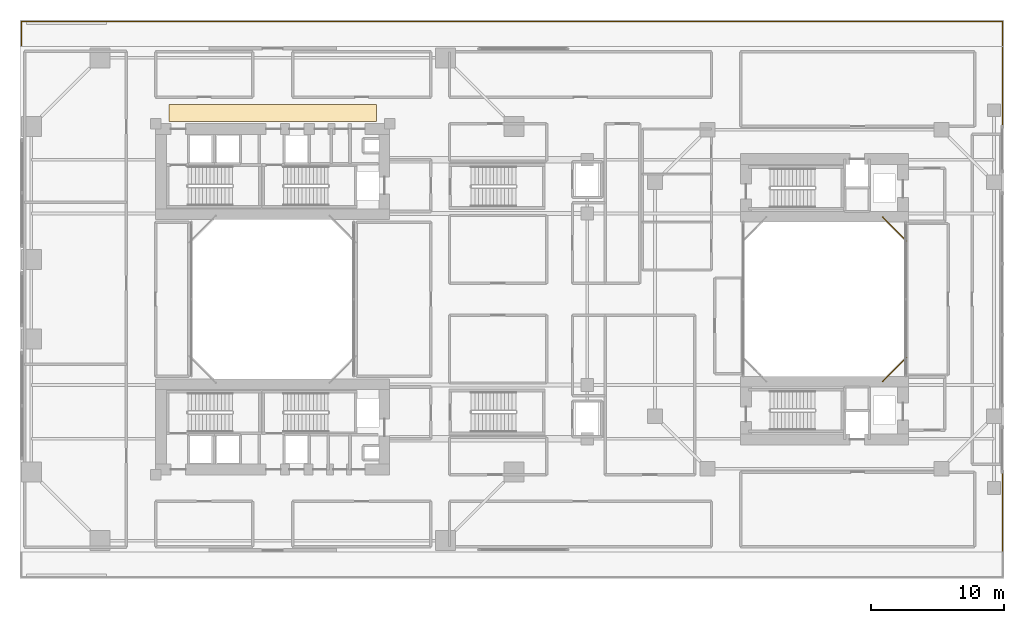
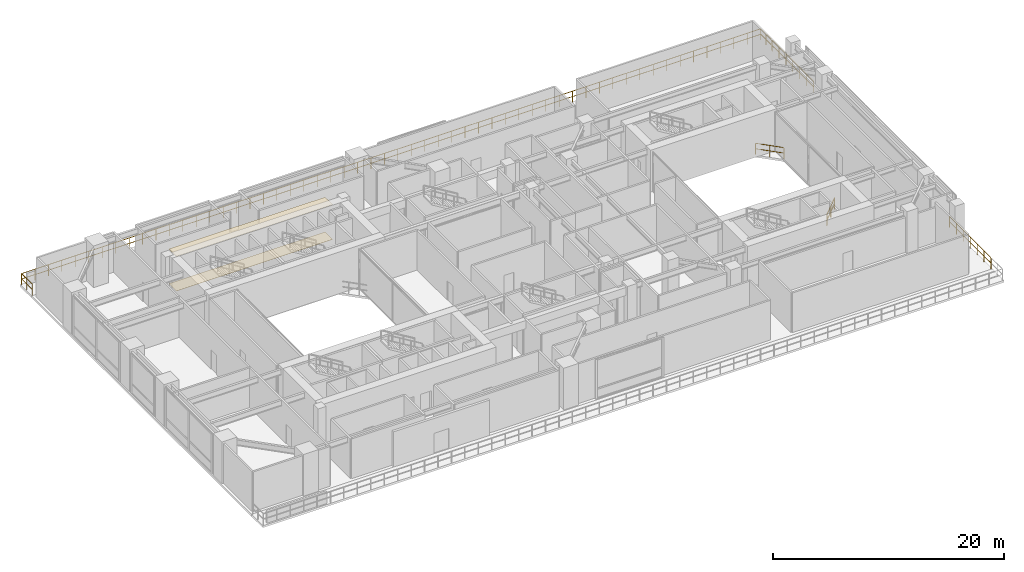
# One storey, part 19 of 19: 5 railings, 2 coverings.
"""IFC4 building model written with IfcOpenShell, lengths in metres."""

from ifc_helpers import new_model, si_unit, direction, frame, origin, origin_2d, place, context, subcontext, project, spatial, polyline, rectangle, outline, extrude, material, layer, layer_set, type_object, element, save


model = new_model("IFC4")

# Units and contexts
model_context = context("Model", 3, precision=1e-05, world=origin(), true_north=direction((0.0, 1.0)))
body_context = subcontext(model_context, "Body", "Model", "MODEL_VIEW")
ifc_project = project(units=[si_unit("LENGTHUNIT", "METRE"), si_unit("AREAUNIT", "SQUARE_METRE"), si_unit("VOLUMEUNIT", "CUBIC_METRE"), si_unit("PLANEANGLEUNIT", "RADIAN"), si_unit("MASSUNIT", "GRAM", prefix="KILO"), si_unit("THERMODYNAMICTEMPERATUREUNIT", "KELVIN"), si_unit("POWERUNIT", "WATT")], contexts=[model_context])

# Site, building, storey
site_placement = place(None, origin())
site = spatial("IfcSite", under=ifc_project, at=site_placement, CompositionType="ELEMENT")
building_placement = place(site_placement, origin())
building = spatial("IfcBuilding", under=site, at=building_placement, Name="Qiaomeng Ring Towers", CompositionType="ELEMENT")
storey_placement = place(building_placement, frame((0.0, 0.0, 9.39990234375)))
storey = spatial("IfcBuildingStorey", under=building, at=storey_placement, Name="L02", CompositionType="ELEMENT", Elevation=9.39990234375)

# Coverings
ifc_material_1 = material(Name="Mineral fibre acoustic ceiling tile", Category="gypsum")
ifc_layer_1 = layer(ifc_material_1, 0.02490234375, Name="Mineral fibre acoustic ceiling tile")
ifc_layer_set_1 = layer_set([ifc_layer_1], Name="Mineral fibre acoustic ceiling tile")
covering_type_1 = type_object("IfcCoveringType", Name="ARC-COV-CEIL1", PredefinedType="CEILING", material=ifc_layer_set_1)
covering_1_placement = place(storey_placement, frame((0.0, 0.0, 3.66015625)))
element("IfcCovering", 1, at=covering_1_placement, inside=storey, type_object=covering_type_1, Name="L02 Corridor Acoustic Ceiling", PredefinedType="CEILING", context=body_context, shape_type="SweptSolid", body=[
    extrude(outline(polyline([(11.199951171875, 36.35009765625), (11.199951171875, 37.64990234375), (26.800048828125, 37.64990234375), (26.800048828125, 36.35009765625), (11.199951171875, 36.35009765625)])), origin(), (0.0, 0.0, 1.0), 0.02490234375),
])
ifc_material_2 = material(Name="Honed granite stone flooring", Category="masonry")
ifc_layer_2 = layer(ifc_material_2, 0.02392578125, Name="Honed granite stone flooring")
ifc_layer_set_2 = layer_set([ifc_layer_2], Name="Honed granite stone flooring")
covering_type_2 = type_object("IfcCoveringType", Name="ARC-COV-FLR2", PredefinedType="FLOORING", material=ifc_layer_set_2)
covering_2_placement = place(storey_placement, origin())
element("IfcCovering", 2, at=covering_2_placement, inside=storey, type_object=covering_type_2, Name="L02 Corridor Stone Flooring", PredefinedType="FLOORING", context=body_context, shape_type="SweptSolid", body=[
    extrude(outline(polyline([(11.199951171875, 36.35009765625), (11.199951171875, 37.64990234375), (26.800048828125, 37.64990234375), (26.800048828125, 36.35009765625), (11.199951171875, 36.35009765625)])), origin(), (0.0, 0.0, 1.0), 0.02001953125),
])

# Railings
ifc_material_3 = material(Name="Low-E pale-green laminated safety glass", Category="glass")
railing_type = type_object("IfcRailingType", Name="ARC-RL-BAL1", PredefinedType="BALUSTRADE", material=ifc_material_3)
railing_1_placement = place(storey_placement, frame((0.10009765625, 42.080078125, 0.0)))
element("IfcRailing", 3, at=railing_1_placement, inside=storey, type_object=railing_type, Name="L02 Balustrade ARC-BAL-L02-POD-N", PredefinedType="BALUSTRADE", context=body_context, shape_type="SweptSolid", body=[
    extrude(rectangle(XDim=0.048095703125, YDim=0.048095703125, at=origin_2d()), frame((0.0, 0.0, 1.17578125), z_axis=(0.0, 1.0, 0.0), x_axis=(-1.0, 0.0, 0.0)), (0.0, 0.0, 1.0), 1.81982421875),
    extrude(rectangle(XDim=0.048095703125, YDim=0.048095703125, at=origin_2d()), frame((0.0, 0.0, 0.60009765625), z_axis=(0.0, 1.0, 0.0), x_axis=(-1.0, 0.0, 0.0)), (0.0, 0.0, 1.0), 1.81982421875),
    extrude(rectangle(XDim=0.048095703125, YDim=0.048095703125, at=origin_2d()), frame((0.0, 1.81982421875, 1.17578125), z_axis=(1.0, 0.0, 0.0), x_axis=(0.0, 1.0, 0.0)), (0.0, 0.0, 1.0), 73.7998046875),
    extrude(rectangle(XDim=0.048095703125, YDim=0.048095703125, at=origin_2d()), frame((0.0, 1.81982421875, 0.60009765625), z_axis=(1.0, 0.0, 0.0), x_axis=(0.0, 1.0, 0.0)), (0.0, 0.0, 1.0), 73.7998046875),
    extrude(rectangle(XDim=0.048095703125, YDim=0.048095703125, at=origin_2d()), frame((73.7998046875, 1.81982421875, 1.17578125), z_axis=(0.0, -1.0, 0.0), x_axis=(1.0, 0.0, 0.0)), (0.0, 0.0, 1.0), 1.81982421875),
    extrude(rectangle(XDim=0.048095703125, YDim=0.048095703125, at=origin_2d()), frame((73.7998046875, 1.81982421875, 0.60009765625), z_axis=(0.0, -1.0, 0.0), x_axis=(1.0, 0.0, 0.0)), (0.0, 0.0, 1.0), 1.81982421875),
    extrude(rectangle(XDim=0.0419921875, YDim=0.0419921875, at=origin_2d()), origin(), (0.0, 0.0, 1.0), 1.15185546875),
    extrude(rectangle(XDim=0.0419921875, YDim=0.0419921875, at=origin_2d()), frame((0.0, 0.909912109375, 0.0)), (0.0, 0.0, 1.0), 1.15185546875),
    extrude(rectangle(XDim=0.0419921875, YDim=0.0419921875, at=origin_2d()), frame((0.0, 1.81982421875, 0.0)), (0.0, 0.0, 1.0), 1.15185546875),
    extrude(rectangle(XDim=0.0419921875, YDim=0.0419921875, at=origin_2d()), frame((1.341796875, 1.81982421875, 0.0)), (0.0, 0.0, 1.0), 1.15185546875),
    extrude(rectangle(XDim=0.0419921875, YDim=0.0419921875, at=origin_2d()), frame((2.68359375, 1.81982421875, 0.0)), (0.0, 0.0, 1.0), 1.15185546875),
    extrude(rectangle(XDim=0.0419921875, YDim=0.0419921875, at=origin_2d()), frame((4.025390625, 1.81982421875, 0.0)), (0.0, 0.0, 1.0), 1.15185546875),
    extrude(rectangle(XDim=0.0419921875, YDim=0.0419921875, at=origin_2d()), frame((5.3671875, 1.81982421875, 0.0)), (0.0, 0.0, 1.0), 1.15185546875),
    extrude(rectangle(XDim=0.0419921875, YDim=0.0419921875, at=origin_2d()), frame((6.708984375, 1.81982421875, 0.0)), (0.0, 0.0, 1.0), 1.15185546875),
    extrude(rectangle(XDim=0.0419921875, YDim=0.0419921875, at=origin_2d()), frame((8.05078125, 1.81982421875, 0.0)), (0.0, 0.0, 1.0), 1.15185546875),
    extrude(rectangle(XDim=0.0419921875, YDim=0.0419921875, at=origin_2d()), frame((9.392822265625, 1.81982421875, 0.0)), (0.0, 0.0, 1.0), 1.15185546875),
    extrude(rectangle(XDim=0.0419921875, YDim=0.0419921875, at=origin_2d()), frame((10.734619140625, 1.81982421875, 0.0)), (0.0, 0.0, 1.0), 1.15185546875),
    extrude(rectangle(XDim=0.0419921875, YDim=0.0419921875, at=origin_2d()), frame((12.076416015625, 1.81982421875, 0.0)), (0.0, 0.0, 1.0), 1.15185546875),
    extrude(rectangle(XDim=0.0419921875, YDim=0.0419921875, at=origin_2d()), frame((13.418212890625, 1.81982421875, 0.0)), (0.0, 0.0, 1.0), 1.15185546875),
    extrude(rectangle(XDim=0.0419921875, YDim=0.0419921875, at=origin_2d()), frame((14.760009765625, 1.81982421875, 0.0)), (0.0, 0.0, 1.0), 1.15185546875),
    extrude(rectangle(XDim=0.0419921875, YDim=0.0419921875, at=origin_2d()), frame((16.101806640625, 1.81982421875, 0.0)), (0.0, 0.0, 1.0), 1.15185546875),
    extrude(rectangle(XDim=0.0419921875, YDim=0.0419921875, at=origin_2d()), frame((17.443603515625, 1.81982421875, 0.0)), (0.0, 0.0, 1.0), 1.15185546875),
    extrude(rectangle(XDim=0.0419921875, YDim=0.0419921875, at=origin_2d()), frame((18.785400390625, 1.81982421875, 0.0)), (0.0, 0.0, 1.0), 1.15185546875),
    extrude(rectangle(XDim=0.0419921875, YDim=0.0419921875, at=origin_2d()), frame((20.127197265625, 1.81982421875, 0.0)), (0.0, 0.0, 1.0), 1.15185546875),
    extrude(rectangle(XDim=0.0419921875, YDim=0.0419921875, at=origin_2d()), frame((21.468994140625, 1.81982421875, 0.0)), (0.0, 0.0, 1.0), 1.15185546875),
    extrude(rectangle(XDim=0.0419921875, YDim=0.0419921875, at=origin_2d()), frame((22.810791015625, 1.81982421875, 0.0)), (0.0, 0.0, 1.0), 1.15185546875),
    extrude(rectangle(XDim=0.0419921875, YDim=0.0419921875, at=origin_2d()), frame((24.152587890625, 1.81982421875, 0.0)), (0.0, 0.0, 1.0), 1.15185546875),
    extrude(rectangle(XDim=0.0419921875, YDim=0.0419921875, at=origin_2d()), frame((25.494384765625, 1.81982421875, 0.0)), (0.0, 0.0, 1.0), 1.15185546875),
    extrude(rectangle(XDim=0.0419921875, YDim=0.0419921875, at=origin_2d()), frame((26.836181640625, 1.81982421875, 0.0)), (0.0, 0.0, 1.0), 1.15185546875),
    extrude(rectangle(XDim=0.0419921875, YDim=0.0419921875, at=origin_2d()), frame((28.17822265625, 1.81982421875, 0.0)), (0.0, 0.0, 1.0), 1.15185546875),
    extrude(rectangle(XDim=0.0419921875, YDim=0.0419921875, at=origin_2d()), frame((29.52001953125, 1.81982421875, 0.0)), (0.0, 0.0, 1.0), 1.15185546875),
    extrude(rectangle(XDim=0.0419921875, YDim=0.0419921875, at=origin_2d()), frame((30.86181640625, 1.81982421875, 0.0)), (0.0, 0.0, 1.0), 1.15185546875),
    extrude(rectangle(XDim=0.0419921875, YDim=0.0419921875, at=origin_2d()), frame((32.20361328125, 1.81982421875, 0.0)), (0.0, 0.0, 1.0), 1.15185546875),
    extrude(rectangle(XDim=0.0419921875, YDim=0.0419921875, at=origin_2d()), frame((33.54541015625, 1.81982421875, 0.0)), (0.0, 0.0, 1.0), 1.15185546875),
    extrude(rectangle(XDim=0.0419921875, YDim=0.0419921875, at=origin_2d()), frame((34.88720703125, 1.81982421875, 0.0)), (0.0, 0.0, 1.0), 1.15185546875),
    extrude(rectangle(XDim=0.0419921875, YDim=0.0419921875, at=origin_2d()), frame((36.22900390625, 1.81982421875, 0.0)), (0.0, 0.0, 1.0), 1.15185546875),
    extrude(rectangle(XDim=0.0419921875, YDim=0.0419921875, at=origin_2d()), frame((37.57080078125, 1.81982421875, 0.0)), (0.0, 0.0, 1.0), 1.15185546875),
    extrude(rectangle(XDim=0.0419921875, YDim=0.0419921875, at=origin_2d()), frame((38.91259765625, 1.81982421875, 0.0)), (0.0, 0.0, 1.0), 1.15185546875),
    extrude(rectangle(XDim=0.0419921875, YDim=0.0419921875, at=origin_2d()), frame((40.25439453125, 1.81982421875, 0.0)), (0.0, 0.0, 1.0), 1.15185546875),
    extrude(rectangle(XDim=0.0419921875, YDim=0.0419921875, at=origin_2d()), frame((41.59619140625, 1.81982421875, 0.0)), (0.0, 0.0, 1.0), 1.15185546875),
    extrude(rectangle(XDim=0.0419921875, YDim=0.0419921875, at=origin_2d()), frame((42.93798828125, 1.81982421875, 0.0)), (0.0, 0.0, 1.0), 1.15185546875),
    extrude(rectangle(XDim=0.0419921875, YDim=0.0419921875, at=origin_2d()), frame((44.27978515625, 1.81982421875, 0.0)), (0.0, 0.0, 1.0), 1.15185546875),
    extrude(rectangle(XDim=0.0419921875, YDim=0.0419921875, at=origin_2d()), frame((45.62158203125, 1.81982421875, 0.0)), (0.0, 0.0, 1.0), 1.15185546875),
    extrude(rectangle(XDim=0.0419921875, YDim=0.0419921875, at=origin_2d()), frame((46.963623046875, 1.81982421875, 0.0)), (0.0, 0.0, 1.0), 1.15185546875),
    extrude(rectangle(XDim=0.0419921875, YDim=0.0419921875, at=origin_2d()), frame((48.305419921875, 1.81982421875, 0.0)), (0.0, 0.0, 1.0), 1.15185546875),
    extrude(rectangle(XDim=0.0419921875, YDim=0.0419921875, at=origin_2d()), frame((49.647216796875, 1.81982421875, 0.0)), (0.0, 0.0, 1.0), 1.15185546875),
    extrude(rectangle(XDim=0.0419921875, YDim=0.0419921875, at=origin_2d()), frame((50.989013671875, 1.81982421875, 0.0)), (0.0, 0.0, 1.0), 1.15185546875),
    extrude(rectangle(XDim=0.0419921875, YDim=0.0419921875, at=origin_2d()), frame((52.330810546875, 1.81982421875, 0.0)), (0.0, 0.0, 1.0), 1.15185546875),
    extrude(rectangle(XDim=0.0419921875, YDim=0.0419921875, at=origin_2d()), frame((53.672607421875, 1.81982421875, 0.0)), (0.0, 0.0, 1.0), 1.15185546875),
    extrude(rectangle(XDim=0.0419921875, YDim=0.0419921875, at=origin_2d()), frame((55.014404296875, 1.81982421875, 0.0)), (0.0, 0.0, 1.0), 1.15185546875),
    extrude(rectangle(XDim=0.0419921875, YDim=0.0419921875, at=origin_2d()), frame((56.356201171875, 1.81982421875, 0.0)), (0.0, 0.0, 1.0), 1.15185546875),
    extrude(rectangle(XDim=0.0419921875, YDim=0.0419921875, at=origin_2d()), frame((57.697998046875, 1.81982421875, 0.0)), (0.0, 0.0, 1.0), 1.15185546875),
    extrude(rectangle(XDim=0.0419921875, YDim=0.0419921875, at=origin_2d()), frame((59.039794921875, 1.81982421875, 0.0)), (0.0, 0.0, 1.0), 1.15185546875),
    extrude(rectangle(XDim=0.0419921875, YDim=0.0419921875, at=origin_2d()), frame((60.381591796875, 1.81982421875, 0.0)), (0.0, 0.0, 1.0), 1.15185546875),
    extrude(rectangle(XDim=0.0419921875, YDim=0.0419921875, at=origin_2d()), frame((61.723388671875, 1.81982421875, 0.0)), (0.0, 0.0, 1.0), 1.15185546875),
    extrude(rectangle(XDim=0.0419921875, YDim=0.0419921875, at=origin_2d()), frame((63.065185546875, 1.81982421875, 0.0)), (0.0, 0.0, 1.0), 1.15185546875),
    extrude(rectangle(XDim=0.0419921875, YDim=0.0419921875, at=origin_2d()), frame((64.406982421875, 1.81982421875, 0.0)), (0.0, 0.0, 1.0), 1.15185546875),
    extrude(rectangle(XDim=0.0419921875, YDim=0.0419921875, at=origin_2d()), frame((65.7490234375, 1.81982421875, 0.0)), (0.0, 0.0, 1.0), 1.15185546875),
    extrude(rectangle(XDim=0.0419921875, YDim=0.0419921875, at=origin_2d()), frame((67.0908203125, 1.81982421875, 0.0)), (0.0, 0.0, 1.0), 1.15185546875),
    extrude(rectangle(XDim=0.0419921875, YDim=0.0419921875, at=origin_2d()), frame((68.4326171875, 1.81982421875, 0.0)), (0.0, 0.0, 1.0), 1.15185546875),
    extrude(rectangle(XDim=0.0419921875, YDim=0.0419921875, at=origin_2d()), frame((69.7744140625, 1.81982421875, 0.0)), (0.0, 0.0, 1.0), 1.15185546875),
    extrude(rectangle(XDim=0.0419921875, YDim=0.0419921875, at=origin_2d()), frame((71.1162109375, 1.81982421875, 0.0)), (0.0, 0.0, 1.0), 1.15185546875),
    extrude(rectangle(XDim=0.0419921875, YDim=0.0419921875, at=origin_2d()), frame((72.4580078125, 1.81982421875, 0.0)), (0.0, 0.0, 1.0), 1.15185546875),
    extrude(rectangle(XDim=0.0419921875, YDim=0.0419921875, at=origin_2d()), frame((73.7998046875, 1.81982421875, 0.0)), (0.0, 0.0, 1.0), 1.15185546875),
    extrude(rectangle(XDim=0.0419921875, YDim=0.0419921875, at=origin_2d()), frame((73.7998046875, 0.909912109375, 0.0)), (0.0, 0.0, 1.0), 1.15185546875),
    extrude(rectangle(XDim=0.0419921875, YDim=0.0419921875, at=origin_2d()), frame((73.7998046875, 0.0, 0.0)), (0.0, 0.0, 1.0), 1.15185546875),
])
for number, where, name in (
    (4, (73.89990234375, 4.080078125, 0.0), "L02 Balustrade ARC-BAL-L02-POD-ES"),
    (5, (73.89990234375, 34.75, 0.0), "L02 Balustrade ARC-BAL-L02-POD-EN"),
):
    element("IfcRailing", number, at=place(storey_placement, frame(where)), inside=storey, type_object=railing_type, Name=name, PredefinedType="BALUSTRADE", context=body_context, shape_type="SweptSolid", body=[
        extrude(rectangle(XDim=0.048095703125, YDim=0.048095703125, at=origin_2d()), frame((0.0, 0.0, 1.17578125), z_axis=(0.0, 1.0, 0.0), x_axis=(-1.0, 0.0, 0.0)), (0.0, 0.0, 1.0), 7.169921875),
        extrude(rectangle(XDim=0.048095703125, YDim=0.048095703125, at=origin_2d()), frame((0.0, 0.0, 0.60009765625), z_axis=(0.0, 1.0, 0.0), x_axis=(-1.0, 0.0, 0.0)), (0.0, 0.0, 1.0), 7.169921875),
        extrude(rectangle(XDim=0.0419921875, YDim=0.0419921875, at=origin_2d()), origin(), (0.0, 0.0, 1.0), 1.15185546875),
        extrude(rectangle(XDim=0.0419921875, YDim=0.0419921875, at=origin_2d()), frame((0.0, 1.195068359375, 0.0)), (0.0, 0.0, 1.0), 1.15185546875),
        extrude(rectangle(XDim=0.0419921875, YDim=0.0419921875, at=origin_2d()), frame((0.0, 2.389892578125, 0.0)), (0.0, 0.0, 1.0), 1.15185546875),
        extrude(rectangle(XDim=0.0419921875, YDim=0.0419921875, at=origin_2d()), frame((0.0, 3.5849609375, 0.0)), (0.0, 0.0, 1.0), 1.15185546875),
        extrude(rectangle(XDim=0.0419921875, YDim=0.0419921875, at=origin_2d()), frame((0.0, 4.780029296875, 0.0)), (0.0, 0.0, 1.0), 1.15185546875),
        extrude(rectangle(XDim=0.0419921875, YDim=0.0419921875, at=origin_2d()), frame((0.0, 5.974853515625, 0.0)), (0.0, 0.0, 1.0), 1.15185546875),
        extrude(rectangle(XDim=0.0419921875, YDim=0.0419921875, at=origin_2d()), frame((0.0, 7.169921875, 0.0)), (0.0, 0.0, 1.0), 1.15185546875),
    ])
railing_2_placement = place(storey_placement, frame((64.8798828125, 16.820068359375, 0.0)))
element("IfcRailing", 6, at=railing_2_placement, inside=storey, type_object=railing_type, Name="L02 Balustrade ARC-BAL-WELL2-L02-1", PredefinedType="BALUSTRADE", context=body_context, shape_type="SweptSolid", body=[
    extrude(rectangle(XDim=0.048095703125, YDim=0.048095703125, at=origin_2d()), frame((0.0, 0.0, 1.17578125), z_axis=(0.707106781187, 0.707106781187, 0.0), x_axis=(-0.707106781187, 0.707106781187, 0.0)), (0.0, 0.0, 1.0), 2.545654296875),
    extrude(rectangle(XDim=0.048095703125, YDim=0.048095703125, at=origin_2d()), frame((0.0, 0.0, 0.60009765625), z_axis=(0.707106781187, 0.707106781187, 0.0), x_axis=(-0.707106781187, 0.707106781187, 0.0)), (0.0, 0.0, 1.0), 2.545654296875),
    extrude(rectangle(XDim=0.0419921875, YDim=0.0419921875, at=origin_2d()), origin(), (0.0, 0.0, 1.0), 1.15185546875),
    extrude(rectangle(XDim=0.0419921875, YDim=0.0419921875, at=origin_2d()), frame((0.89990234375, 0.89990234375, 0.0)), (0.0, 0.0, 1.0), 1.15185546875),
    extrude(rectangle(XDim=0.0419921875, YDim=0.0419921875, at=origin_2d()), frame((1.800048828125, 1.800048828125, 0.0)), (0.0, 0.0, 1.0), 1.15185546875),
])
railing_3_placement = place(storey_placement, frame((66.679931640625, 27.3798828125, 0.0)))
element("IfcRailing", 7, at=railing_3_placement, inside=storey, type_object=railing_type, Name="L02 Balustrade ARC-BAL-WELL2-L02-2", PredefinedType="BALUSTRADE", context=body_context, shape_type="SweptSolid", body=[
    extrude(rectangle(XDim=0.048095703125, YDim=0.048095703125, at=origin_2d()), frame((0.0, 0.0, 1.17578125), z_axis=(-0.707106781187, 0.707106781187, 0.0), x_axis=(-0.707106781187, -0.707106781187, 0.0)), (0.0, 0.0, 1.0), 2.545654296875),
    extrude(rectangle(XDim=0.048095703125, YDim=0.048095703125, at=origin_2d()), frame((0.0, 0.0, 0.60009765625), z_axis=(-0.707106781187, 0.707106781187, 0.0), x_axis=(-0.707106781187, -0.707106781187, 0.0)), (0.0, 0.0, 1.0), 2.545654296875),
    extrude(rectangle(XDim=0.0419921875, YDim=0.0419921875, at=origin_2d()), origin(), (0.0, 0.0, 1.0), 1.15185546875),
    extrude(rectangle(XDim=0.0419921875, YDim=0.0419921875, at=origin_2d()), frame((-0.89990234375, 0.89990234375, 0.0)), (0.0, 0.0, 1.0), 1.15185546875),
    extrude(rectangle(XDim=0.0419921875, YDim=0.0419921875, at=origin_2d()), frame((-1.800048828125, 1.800048828125, 0.0)), (0.0, 0.0, 1.0), 1.15185546875),
])

save(model, "model.ifc")
